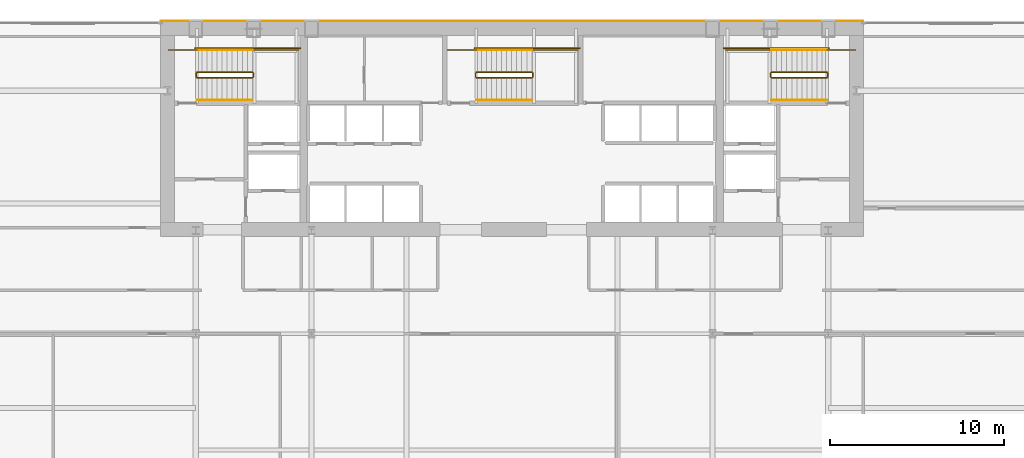
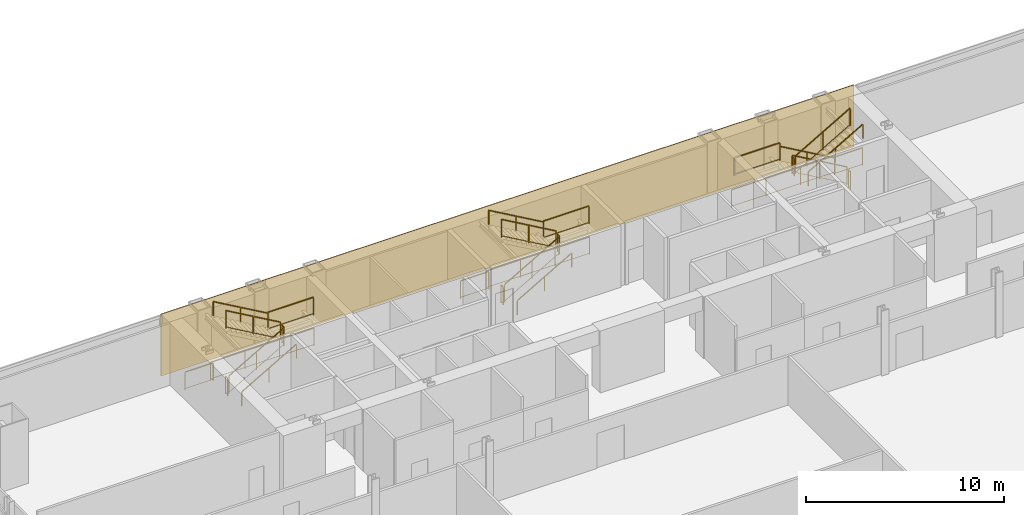
# One storey, part 33 of 33: 27 railings, 1 covering.
"""IFC4 building model written with IfcOpenShell, lengths in metres."""

from ifc_helpers import new_model, si_unit, direction, frame, origin, origin_2d, place, context, subcontext, project, spatial, polyline, rectangle, outline, extrude, material, layer, layer_set, type_object, element, save


model = new_model("IFC4")

# Units and contexts
model_context = context("Model", 3, precision=1e-05, world=origin(), true_north=direction((0.0, 1.0)))
body_context = subcontext(model_context, "Body", "Model", "MODEL_VIEW")
ifc_project = project(units=[si_unit("LENGTHUNIT", "METRE"), si_unit("AREAUNIT", "SQUARE_METRE"), si_unit("VOLUMEUNIT", "CUBIC_METRE"), si_unit("PLANEANGLEUNIT", "RADIAN"), si_unit("MASSUNIT", "GRAM", prefix="KILO")], contexts=[model_context])

# Site, building, storey
site_placement = place(None, origin())
site = spatial("IfcSite", under=ifc_project, at=site_placement, CompositionType="ELEMENT")
building_placement = place(site_placement, origin())
building = spatial("IfcBuilding", under=site, at=building_placement, Name="Khoronbel Lancet Exchange", CompositionType="ELEMENT")
storey_placement = place(building_placement, frame((0.0, 0.0, 33.800048828125)))
storey = spatial("IfcBuildingStorey", under=building, at=storey_placement, Name="L07", CompositionType="ELEMENT", Elevation=33.800048828125)

# Covering
ifc_material_1 = material(Name="Honed Egyptian Limestone & Bronze Rainscreen", Category="masonry")
ifc_layer = layer(ifc_material_1, 0.050048828125, Name="Honed Egyptian Limestone & Bronze Rainscreen")
ifc_layer_set = layer_set([ifc_layer], Name="Honed Egyptian Limestone & Bronze Rainscreen")
covering_type = type_object("IfcCoveringType", Name="COV-CLAD1", PredefinedType="CLADDING", material=ifc_layer_set)
covering_placement = place(storey_placement, origin())
element("IfcCovering", 1, at=covering_placement, inside=storey, type_object=covering_type, Name="Level L07 north rear-core stone and bronze rainscreen cladding", PredefinedType="CLADDING", context=body_context, shape_type="SweptSolid", body=[
    extrude(outline(polyline([(16.199951171875, 53.699951171875), (56.699951171875, 53.699951171875), (56.699951171875, 53.75), (16.199951171875, 53.75), (16.199951171875, 53.699951171875)])), origin(), (0.0, 0.0, 1.0), 3.820068359375),
])

# Railings
ifc_material_2 = material(Name="Painted Steel Balustrade", Category="steel")
railing_type_1 = type_object("IfcRailingType", Name="RL-STG110", PredefinedType="GUARDRAIL", material=ifc_material_2)
railing_1_placement = place(storey_placement, frame((18.300048828125, 50.449951171875, 0.16650390625)))
element("IfcRailing", 2, at=railing_1_placement, inside=storey, type_object=railing_type_1, Name="L07 ST1 stair guard 1", PredefinedType="GUARDRAIL", context=body_context, shape_type="SweptSolid", body=[
    extrude(rectangle(XDim=0.048095703125, YDim=0.048095703125, at=origin_2d()), frame((0.0, 0.0, 1.09619140625), z_axis=(0.86699087805, 0.0, 0.498324008431), x_axis=(0.0, 1.0, 0.0)), (0.0, 0.0, 1.0), 3.679443359375),
    extrude(rectangle(XDim=0.02392578125, YDim=0.02392578125, at=origin_2d()), frame((0.0, 0.0, 0.080078125), z_axis=(0.86699087805, 0.0, 0.498324008431), x_axis=(0.0, 1.0, 0.0)), (0.0, 0.0, 1.0), 3.679443359375),
    extrude(rectangle(XDim=0.0419921875, YDim=0.0419921875, at=origin_2d()), origin(), (0.0, 0.0, 1.0), 1.072021484375),
    extrude(rectangle(XDim=0.0419921875, YDim=0.0419921875, at=origin_2d()), frame((1.594970703125, 0.0, 0.916748046875)), (0.0, 0.0, 1.0), 1.072021484375),
    extrude(rectangle(XDim=0.0419921875, YDim=0.0419921875, at=origin_2d()), frame((3.18994140625, 0.0, 1.83349609375)), (0.0, 0.0, 1.0), 1.072021484375),
])
railing_2_placement = place(storey_placement, frame((21.5400390625, 50.5, 2.0)))
element("IfcRailing", 3, at=railing_2_placement, inside=storey, type_object=railing_type_1, Name="L07 ST1 stair guard 2", PredefinedType="GUARDRAIL", context=body_context, shape_type="SweptSolid", body=[
    extrude(rectangle(XDim=0.048095703125, YDim=0.048095703125, at=origin_2d()), frame((0.0, 0.0, 1.09619140625), z_axis=(0.0, 1.0, 0.0), x_axis=(-1.0, 0.0, 0.0)), (0.0, 0.0, 1.0), 0.219970703125),
    extrude(rectangle(XDim=0.02392578125, YDim=0.02392578125, at=origin_2d()), frame((0.0, 0.0, 0.080078125), z_axis=(0.0, 1.0, 0.0), x_axis=(-1.0, 0.0, 0.0)), (0.0, 0.0, 1.0), 0.219970703125),
    extrude(rectangle(XDim=0.0419921875, YDim=0.0419921875, at=origin_2d()), origin(), (0.0, 0.0, 1.0), 1.072021484375),
    extrude(rectangle(XDim=0.0419921875, YDim=0.0419921875, at=origin_2d()), frame((0.0, 0.219970703125, 0.0)), (0.0, 0.0, 1.0), 1.072021484375),
])
railing_3_placement = place(storey_placement, frame((21.489990234375, 52.050048828125, 2.0)))
element("IfcRailing", 4, at=railing_3_placement, inside=storey, type_object=railing_type_1, Name="L07 ST1 stair guard 3", PredefinedType="GUARDRAIL", context=body_context, shape_type="SweptSolid", body=[
    extrude(rectangle(XDim=0.048095703125, YDim=0.048095703125, at=origin_2d()), frame((0.0, 0.0, 1.09619140625), z_axis=(1.0, 0.0, 0.0), x_axis=(0.0, 1.0, 0.0)), (0.0, 0.0, 1.0), 2.659912109375),
    extrude(rectangle(XDim=0.02392578125, YDim=0.02392578125, at=origin_2d()), frame((0.0, 0.0, 0.080078125), z_axis=(1.0, 0.0, 0.0), x_axis=(0.0, 1.0, 0.0)), (0.0, 0.0, 1.0), 2.659912109375),
    extrude(rectangle(XDim=0.0419921875, YDim=0.0419921875, at=origin_2d()), origin(), (0.0, 0.0, 1.0), 1.072021484375),
    extrude(rectangle(XDim=0.0419921875, YDim=0.0419921875, at=origin_2d()), frame((2.659912109375, 0.0, 0.0)), (0.0, 0.0, 1.0), 1.072021484375),
])
railing_4_placement = place(storey_placement, frame((21.489990234375, 50.77001953125, 2.16650390625)))
element("IfcRailing", 5, at=railing_4_placement, inside=storey, type_object=railing_type_1, Name="L07 ST1 stair guard 4", PredefinedType="GUARDRAIL", context=body_context, shape_type="SweptSolid", body=[
    extrude(rectangle(XDim=0.048095703125, YDim=0.048095703125, at=origin_2d()), frame((0.0, 0.0, 1.09619140625), z_axis=(-0.86699087805, 0.0, 0.498324008431), x_axis=(0.0, -1.0, 0.0)), (0.0, 0.0, 1.0), 3.679443359375),
    extrude(rectangle(XDim=0.02392578125, YDim=0.02392578125, at=origin_2d()), frame((0.0, 0.0, 0.080078125), z_axis=(-0.86699087805, 0.0, 0.498324008431), x_axis=(0.0, -1.0, 0.0)), (0.0, 0.0, 1.0), 3.679443359375),
    extrude(rectangle(XDim=0.0419921875, YDim=0.0419921875, at=origin_2d()), origin(), (0.0, 0.0, 1.0), 1.072021484375),
    extrude(rectangle(XDim=0.0419921875, YDim=0.0419921875, at=origin_2d()), frame((-1.594970703125, 0.0, 0.916748046875)), (0.0, 0.0, 1.0), 1.072021484375),
    extrude(rectangle(XDim=0.0419921875, YDim=0.0419921875, at=origin_2d()), frame((-3.18994140625, 0.0, 1.83349609375)), (0.0, 0.0, 1.0), 1.072021484375),
])
railing_5_placement = place(storey_placement, frame((18.25, 50.5, 0.0)))
element("IfcRailing", 6, at=railing_5_placement, inside=storey, type_object=railing_type_1, Name="L07 ST1 stair guard 5", PredefinedType="GUARDRAIL", context=body_context, shape_type="SweptSolid", body=[
    extrude(rectangle(XDim=0.048095703125, YDim=0.048095703125, at=origin_2d()), frame((0.0, 0.0, 1.09619140625), z_axis=(0.0, 1.0, 0.0), x_axis=(-1.0, 0.0, 0.0)), (0.0, 0.0, 1.0), 0.219970703125),
    extrude(rectangle(XDim=0.02392578125, YDim=0.02392578125, at=origin_2d()), frame((0.0, 0.0, 0.080078125), z_axis=(0.0, 1.0, 0.0), x_axis=(-1.0, 0.0, 0.0)), (0.0, 0.0, 1.0), 0.219970703125),
    extrude(rectangle(XDim=0.0419921875, YDim=0.0419921875, at=origin_2d()), origin(), (0.0, 0.0, 1.0), 1.072021484375),
    extrude(rectangle(XDim=0.0419921875, YDim=0.0419921875, at=origin_2d()), frame((0.0, 0.219970703125, 0.0)), (0.0, 0.0, 1.0), 1.072021484375),
])
railing_6_placement = place(storey_placement, frame((16.64990234375, 52.050048828125, 0.0)))
element("IfcRailing", 7, at=railing_6_placement, inside=storey, type_object=railing_type_1, Name="L07 ST1 stair guard 6", PredefinedType="GUARDRAIL", context=body_context, shape_type="SweptSolid", body=[
    extrude(rectangle(XDim=0.048095703125, YDim=0.048095703125, at=origin_2d()), frame((0.0, 0.0, 1.09619140625), z_axis=(1.0, 0.0, 0.0), x_axis=(0.0, 1.0, 0.0)), (0.0, 0.0, 1.0), 1.650146484375),
    extrude(rectangle(XDim=0.02392578125, YDim=0.02392578125, at=origin_2d()), frame((0.0, 0.0, 0.080078125), z_axis=(1.0, 0.0, 0.0), x_axis=(0.0, 1.0, 0.0)), (0.0, 0.0, 1.0), 1.650146484375),
    extrude(rectangle(XDim=0.0419921875, YDim=0.0419921875, at=origin_2d()), origin(), (0.0, 0.0, 1.0), 1.072021484375),
    extrude(rectangle(XDim=0.0419921875, YDim=0.0419921875, at=origin_2d()), frame((1.650146484375, 0.0, 0.0)), (0.0, 0.0, 1.0), 1.072021484375),
])
railing_7_placement = place(storey_placement, frame((18.199951171875, 52.14990234375, 0.0)))
element("IfcRailing", 8, at=railing_7_placement, inside=storey, type_object=railing_type_1, Name="L07 ST1 stair guard 7", PredefinedType="GUARDRAIL", context=body_context, shape_type="SweptSolid", body=[
    extrude(rectangle(XDim=0.048095703125, YDim=0.048095703125, at=origin_2d()), frame((0.0, 0.0, 1.09619140625), z_axis=(1.0, 0.0, 0.0), x_axis=(0.0, 1.0, 0.0)), (0.0, 0.0, 1.0), 6.050048828125),
    extrude(rectangle(XDim=0.02392578125, YDim=0.02392578125, at=origin_2d()), frame((0.0, 0.0, 0.080078125), z_axis=(1.0, 0.0, 0.0), x_axis=(0.0, 1.0, 0.0)), (0.0, 0.0, 1.0), 6.050048828125),
    extrude(rectangle(XDim=0.0419921875, YDim=0.0419921875, at=origin_2d()), origin(), (0.0, 0.0, 1.0), 1.072021484375),
    extrude(rectangle(XDim=0.0419921875, YDim=0.0419921875, at=origin_2d()), frame((2.0166015625, 0.0, 0.0)), (0.0, 0.0, 1.0), 1.072021484375),
    extrude(rectangle(XDim=0.0419921875, YDim=0.0419921875, at=origin_2d()), frame((4.033447265625, 0.0, 0.0)), (0.0, 0.0, 1.0), 1.072021484375),
    extrude(rectangle(XDim=0.0419921875, YDim=0.0419921875, at=origin_2d()), frame((6.050048828125, 0.0, 0.0)), (0.0, 0.0, 1.0), 1.072021484375),
])
railing_8_placement = place(storey_placement, frame((54.60009765625, 50.77001953125, 0.16650390625)))
element("IfcRailing", 9, at=railing_8_placement, inside=storey, type_object=railing_type_1, Name="L07 ST2 stair guard 1", PredefinedType="GUARDRAIL", context=body_context, shape_type="SweptSolid", body=[
    extrude(rectangle(XDim=0.048095703125, YDim=0.048095703125, at=origin_2d()), frame((0.0, 0.0, 1.09619140625), z_axis=(-0.867007354286, 0.0, 0.498295341753), x_axis=(0.0, -1.0, 0.0)), (0.0, 0.0, 1.0), 3.679443359375),
    extrude(rectangle(XDim=0.02392578125, YDim=0.02392578125, at=origin_2d()), frame((0.0, 0.0, 0.080078125), z_axis=(-0.867007354286, 0.0, 0.498295341753), x_axis=(0.0, -1.0, 0.0)), (0.0, 0.0, 1.0), 3.679443359375),
    extrude(rectangle(XDim=0.0419921875, YDim=0.0419921875, at=origin_2d()), origin(), (0.0, 0.0, 1.0), 1.072021484375),
    extrude(rectangle(XDim=0.0419921875, YDim=0.0419921875, at=origin_2d()), frame((-1.59521484375, 0.0, 0.916748046875)), (0.0, 0.0, 1.0), 1.072021484375),
    extrude(rectangle(XDim=0.0419921875, YDim=0.0419921875, at=origin_2d()), frame((-3.190185546875, 0.0, 1.83349609375)), (0.0, 0.0, 1.0), 1.072021484375),
])
railing_9_placement = place(storey_placement, frame((51.360107421875, 50.719970703125, 2.0)))
element("IfcRailing", 10, at=railing_9_placement, inside=storey, type_object=railing_type_1, Name="L07 ST2 stair guard 2", PredefinedType="GUARDRAIL", context=body_context, shape_type="SweptSolid", body=[
    extrude(rectangle(XDim=0.048095703125, YDim=0.048095703125, at=origin_2d()), frame((0.0, 0.0, 1.09619140625), z_axis=(0.0, -1.0, 0.0), x_axis=(1.0, 0.0, 0.0)), (0.0, 0.0, 1.0), 0.219970703125),
    extrude(rectangle(XDim=0.02392578125, YDim=0.02392578125, at=origin_2d()), frame((0.0, 0.0, 0.080078125), z_axis=(0.0, -1.0, 0.0), x_axis=(1.0, 0.0, 0.0)), (0.0, 0.0, 1.0), 0.219970703125),
    extrude(rectangle(XDim=0.0419921875, YDim=0.0419921875, at=origin_2d()), origin(), (0.0, 0.0, 1.0), 1.072021484375),
    extrude(rectangle(XDim=0.0419921875, YDim=0.0419921875, at=origin_2d()), frame((0.0, -0.219970703125, 0.0)), (0.0, 0.0, 1.0), 1.072021484375),
])
railing_10_placement = place(storey_placement, frame((51.409912109375, 52.050048828125, 2.0)))
element("IfcRailing", 11, at=railing_10_placement, inside=storey, type_object=railing_type_1, Name="L07 ST2 stair guard 3", PredefinedType="GUARDRAIL", context=body_context, shape_type="SweptSolid", body=[
    extrude(rectangle(XDim=0.048095703125, YDim=0.048095703125, at=origin_2d()), frame((0.0, 0.0, 1.09619140625), z_axis=(-1.0, 0.0, 0.0), x_axis=(0.0, -1.0, 0.0)), (0.0, 0.0, 1.0), 2.659912109375),
    extrude(rectangle(XDim=0.02392578125, YDim=0.02392578125, at=origin_2d()), frame((0.0, 0.0, 0.080078125), z_axis=(-1.0, 0.0, 0.0), x_axis=(0.0, -1.0, 0.0)), (0.0, 0.0, 1.0), 2.659912109375),
    extrude(rectangle(XDim=0.0419921875, YDim=0.0419921875, at=origin_2d()), origin(), (0.0, 0.0, 1.0), 1.072021484375),
    extrude(rectangle(XDim=0.0419921875, YDim=0.0419921875, at=origin_2d()), frame((-2.659912109375, 0.0, 0.0)), (0.0, 0.0, 1.0), 1.072021484375),
])
railing_11_placement = place(storey_placement, frame((51.409912109375, 50.449951171875, 2.16650390625)))
element("IfcRailing", 12, at=railing_11_placement, inside=storey, type_object=railing_type_1, Name="L07 ST2 stair guard 4", PredefinedType="GUARDRAIL", context=body_context, shape_type="SweptSolid", body=[
    extrude(rectangle(XDim=0.048095703125, YDim=0.048095703125, at=origin_2d()), frame((0.0, 0.0, 1.09619140625), z_axis=(0.867007354286, 0.0, 0.498295341753), x_axis=(0.0, 1.0, 0.0)), (0.0, 0.0, 1.0), 3.679443359375),
    extrude(rectangle(XDim=0.02392578125, YDim=0.02392578125, at=origin_2d()), frame((0.0, 0.0, 0.080078125), z_axis=(0.867007354286, 0.0, 0.498295341753), x_axis=(0.0, 1.0, 0.0)), (0.0, 0.0, 1.0), 3.679443359375),
    extrude(rectangle(XDim=0.0419921875, YDim=0.0419921875, at=origin_2d()), origin(), (0.0, 0.0, 1.0), 1.072021484375),
    extrude(rectangle(XDim=0.0419921875, YDim=0.0419921875, at=origin_2d()), frame((1.59521484375, 0.0, 0.916748046875)), (0.0, 0.0, 1.0), 1.072021484375),
    extrude(rectangle(XDim=0.0419921875, YDim=0.0419921875, at=origin_2d()), frame((3.190185546875, 0.0, 1.83349609375)), (0.0, 0.0, 1.0), 1.072021484375),
])
railing_12_placement = place(storey_placement, frame((54.64990234375, 50.719970703125, 0.0)))
element("IfcRailing", 13, at=railing_12_placement, inside=storey, type_object=railing_type_1, Name="L07 ST2 stair guard 5", PredefinedType="GUARDRAIL", context=body_context, shape_type="SweptSolid", body=[
    extrude(rectangle(XDim=0.048095703125, YDim=0.048095703125, at=origin_2d()), frame((0.0, 0.0, 1.09619140625), z_axis=(0.0, -1.0, 0.0), x_axis=(1.0, 0.0, 0.0)), (0.0, 0.0, 1.0), 0.219970703125),
    extrude(rectangle(XDim=0.02392578125, YDim=0.02392578125, at=origin_2d()), frame((0.0, 0.0, 0.080078125), z_axis=(0.0, -1.0, 0.0), x_axis=(1.0, 0.0, 0.0)), (0.0, 0.0, 1.0), 0.219970703125),
    extrude(rectangle(XDim=0.0419921875, YDim=0.0419921875, at=origin_2d()), origin(), (0.0, 0.0, 1.0), 1.072021484375),
    extrude(rectangle(XDim=0.0419921875, YDim=0.0419921875, at=origin_2d()), frame((0.0, -0.219970703125, 0.0)), (0.0, 0.0, 1.0), 1.072021484375),
])
railing_13_placement = place(storey_placement, frame((56.25, 52.050048828125, 0.0)))
element("IfcRailing", 14, at=railing_13_placement, inside=storey, type_object=railing_type_1, Name="L07 ST2 stair guard 6", PredefinedType="GUARDRAIL", context=body_context, shape_type="SweptSolid", body=[
    extrude(rectangle(XDim=0.048095703125, YDim=0.048095703125, at=origin_2d()), frame((0.0, 0.0, 1.09619140625), z_axis=(-1.0, 0.0, 0.0), x_axis=(0.0, -1.0, 0.0)), (0.0, 0.0, 1.0), 1.64990234375),
    extrude(rectangle(XDim=0.02392578125, YDim=0.02392578125, at=origin_2d()), frame((0.0, 0.0, 0.080078125), z_axis=(-1.0, 0.0, 0.0), x_axis=(0.0, -1.0, 0.0)), (0.0, 0.0, 1.0), 1.64990234375),
    extrude(rectangle(XDim=0.0419921875, YDim=0.0419921875, at=origin_2d()), origin(), (0.0, 0.0, 1.0), 1.072021484375),
    extrude(rectangle(XDim=0.0419921875, YDim=0.0419921875, at=origin_2d()), frame((-1.64990234375, 0.0, 0.0)), (0.0, 0.0, 1.0), 1.072021484375),
])
railing_14_placement = place(storey_placement, frame((54.699951171875, 52.14990234375, 0.0)))
element("IfcRailing", 15, at=railing_14_placement, inside=storey, type_object=railing_type_1, Name="L07 ST2 stair guard 7", PredefinedType="GUARDRAIL", context=body_context, shape_type="SweptSolid", body=[
    extrude(rectangle(XDim=0.048095703125, YDim=0.048095703125, at=origin_2d()), frame((0.0, 0.0, 1.09619140625), z_axis=(-1.0, 0.0, 0.0), x_axis=(0.0, -1.0, 0.0)), (0.0, 0.0, 1.0), 6.050048828125),
    extrude(rectangle(XDim=0.02392578125, YDim=0.02392578125, at=origin_2d()), frame((0.0, 0.0, 0.080078125), z_axis=(-1.0, 0.0, 0.0), x_axis=(0.0, -1.0, 0.0)), (0.0, 0.0, 1.0), 6.050048828125),
    extrude(rectangle(XDim=0.0419921875, YDim=0.0419921875, at=origin_2d()), origin(), (0.0, 0.0, 1.0), 1.072021484375),
    extrude(rectangle(XDim=0.0419921875, YDim=0.0419921875, at=origin_2d()), frame((-2.0166015625, 0.0, 0.0)), (0.0, 0.0, 1.0), 1.072021484375),
    extrude(rectangle(XDim=0.0419921875, YDim=0.0419921875, at=origin_2d()), frame((-4.033447265625, 0.0, 0.0)), (0.0, 0.0, 1.0), 1.072021484375),
    extrude(rectangle(XDim=0.0419921875, YDim=0.0419921875, at=origin_2d()), frame((-6.050048828125, 0.0, 0.0)), (0.0, 0.0, 1.0), 1.072021484375),
])
railing_15_placement = place(storey_placement, frame((34.39990234375, 50.449951171875, 0.16650390625)))
element("IfcRailing", 16, at=railing_15_placement, inside=storey, type_object=railing_type_1, Name="L07 ST3 stair guard 1", PredefinedType="GUARDRAIL", context=body_context, shape_type="SweptSolid", body=[
    extrude(rectangle(XDim=0.048095703125, YDim=0.048095703125, at=origin_2d()), frame((0.0, 0.0, 1.09619140625), z_axis=(0.867007354286, 0.0, 0.498295341753), x_axis=(0.0, 1.0, 0.0)), (0.0, 0.0, 1.0), 3.679443359375),
    extrude(rectangle(XDim=0.02392578125, YDim=0.02392578125, at=origin_2d()), frame((0.0, 0.0, 0.080078125), z_axis=(0.867007354286, 0.0, 0.498295341753), x_axis=(0.0, 1.0, 0.0)), (0.0, 0.0, 1.0), 3.679443359375),
    extrude(rectangle(XDim=0.0419921875, YDim=0.0419921875, at=origin_2d()), origin(), (0.0, 0.0, 1.0), 1.072021484375),
    extrude(rectangle(XDim=0.0419921875, YDim=0.0419921875, at=origin_2d()), frame((1.59521484375, 0.0, 0.916748046875)), (0.0, 0.0, 1.0), 1.072021484375),
    extrude(rectangle(XDim=0.0419921875, YDim=0.0419921875, at=origin_2d()), frame((3.190185546875, 0.0, 1.83349609375)), (0.0, 0.0, 1.0), 1.072021484375),
])
railing_16_placement = place(storey_placement, frame((37.639892578125, 50.5, 2.0)))
element("IfcRailing", 17, at=railing_16_placement, inside=storey, type_object=railing_type_1, Name="L07 ST3 stair guard 2", PredefinedType="GUARDRAIL", context=body_context, shape_type="SweptSolid", body=[
    extrude(rectangle(XDim=0.048095703125, YDim=0.048095703125, at=origin_2d()), frame((0.0, 0.0, 1.09619140625), z_axis=(0.0, 1.0, 0.0), x_axis=(-1.0, 0.0, 0.0)), (0.0, 0.0, 1.0), 0.219970703125),
    extrude(rectangle(XDim=0.02392578125, YDim=0.02392578125, at=origin_2d()), frame((0.0, 0.0, 0.080078125), z_axis=(0.0, 1.0, 0.0), x_axis=(-1.0, 0.0, 0.0)), (0.0, 0.0, 1.0), 0.219970703125),
    extrude(rectangle(XDim=0.0419921875, YDim=0.0419921875, at=origin_2d()), origin(), (0.0, 0.0, 1.0), 1.072021484375),
    extrude(rectangle(XDim=0.0419921875, YDim=0.0419921875, at=origin_2d()), frame((0.0, 0.219970703125, 0.0)), (0.0, 0.0, 1.0), 1.072021484375),
])
railing_17_placement = place(storey_placement, frame((37.590087890625, 52.050048828125, 2.0)))
element("IfcRailing", 18, at=railing_17_placement, inside=storey, type_object=railing_type_1, Name="L07 ST3 stair guard 3", PredefinedType="GUARDRAIL", context=body_context, shape_type="SweptSolid", body=[
    extrude(rectangle(XDim=0.048095703125, YDim=0.048095703125, at=origin_2d()), frame((0.0, 0.0, 1.09619140625), z_axis=(1.0, 0.0, 0.0), x_axis=(0.0, 1.0, 0.0)), (0.0, 0.0, 1.0), 2.659912109375),
    extrude(rectangle(XDim=0.02392578125, YDim=0.02392578125, at=origin_2d()), frame((0.0, 0.0, 0.080078125), z_axis=(1.0, 0.0, 0.0), x_axis=(0.0, 1.0, 0.0)), (0.0, 0.0, 1.0), 2.659912109375),
    extrude(rectangle(XDim=0.0419921875, YDim=0.0419921875, at=origin_2d()), origin(), (0.0, 0.0, 1.0), 1.072021484375),
    extrude(rectangle(XDim=0.0419921875, YDim=0.0419921875, at=origin_2d()), frame((2.659912109375, 0.0, 0.0)), (0.0, 0.0, 1.0), 1.072021484375),
])
railing_18_placement = place(storey_placement, frame((37.590087890625, 50.77001953125, 2.16650390625)))
element("IfcRailing", 19, at=railing_18_placement, inside=storey, type_object=railing_type_1, Name="L07 ST3 stair guard 4", PredefinedType="GUARDRAIL", context=body_context, shape_type="SweptSolid", body=[
    extrude(rectangle(XDim=0.048095703125, YDim=0.048095703125, at=origin_2d()), frame((0.0, 0.0, 1.09619140625), z_axis=(-0.867007354286, 0.0, 0.498295341753), x_axis=(0.0, -1.0, 0.0)), (0.0, 0.0, 1.0), 3.679443359375),
    extrude(rectangle(XDim=0.02392578125, YDim=0.02392578125, at=origin_2d()), frame((0.0, 0.0, 0.080078125), z_axis=(-0.867007354286, 0.0, 0.498295341753), x_axis=(0.0, -1.0, 0.0)), (0.0, 0.0, 1.0), 3.679443359375),
    extrude(rectangle(XDim=0.0419921875, YDim=0.0419921875, at=origin_2d()), origin(), (0.0, 0.0, 1.0), 1.072021484375),
    extrude(rectangle(XDim=0.0419921875, YDim=0.0419921875, at=origin_2d()), frame((-1.59521484375, 0.0, 0.916748046875)), (0.0, 0.0, 1.0), 1.072021484375),
    extrude(rectangle(XDim=0.0419921875, YDim=0.0419921875, at=origin_2d()), frame((-3.190185546875, 0.0, 1.83349609375)), (0.0, 0.0, 1.0), 1.072021484375),
])
railing_19_placement = place(storey_placement, frame((34.35009765625, 50.5, 0.0)))
element("IfcRailing", 20, at=railing_19_placement, inside=storey, type_object=railing_type_1, Name="L07 ST3 stair guard 5", PredefinedType="GUARDRAIL", context=body_context, shape_type="SweptSolid", body=[
    extrude(rectangle(XDim=0.048095703125, YDim=0.048095703125, at=origin_2d()), frame((0.0, 0.0, 1.09619140625), z_axis=(0.0, 1.0, 0.0), x_axis=(-1.0, 0.0, 0.0)), (0.0, 0.0, 1.0), 0.219970703125),
    extrude(rectangle(XDim=0.02392578125, YDim=0.02392578125, at=origin_2d()), frame((0.0, 0.0, 0.080078125), z_axis=(0.0, 1.0, 0.0), x_axis=(-1.0, 0.0, 0.0)), (0.0, 0.0, 1.0), 0.219970703125),
    extrude(rectangle(XDim=0.0419921875, YDim=0.0419921875, at=origin_2d()), origin(), (0.0, 0.0, 1.0), 1.072021484375),
    extrude(rectangle(XDim=0.0419921875, YDim=0.0419921875, at=origin_2d()), frame((0.0, 0.219970703125, 0.0)), (0.0, 0.0, 1.0), 1.072021484375),
])
railing_20_placement = place(storey_placement, frame((32.75, 52.050048828125, 0.0)))
element("IfcRailing", 21, at=railing_20_placement, inside=storey, type_object=railing_type_1, Name="L07 ST3 stair guard 6", PredefinedType="GUARDRAIL", context=body_context, shape_type="SweptSolid", body=[
    extrude(rectangle(XDim=0.048095703125, YDim=0.048095703125, at=origin_2d()), frame((0.0, 0.0, 1.09619140625), z_axis=(1.0, 0.0, 0.0), x_axis=(0.0, 1.0, 0.0)), (0.0, 0.0, 1.0), 1.64990234375),
    extrude(rectangle(XDim=0.02392578125, YDim=0.02392578125, at=origin_2d()), frame((0.0, 0.0, 0.080078125), z_axis=(1.0, 0.0, 0.0), x_axis=(0.0, 1.0, 0.0)), (0.0, 0.0, 1.0), 1.64990234375),
    extrude(rectangle(XDim=0.0419921875, YDim=0.0419921875, at=origin_2d()), origin(), (0.0, 0.0, 1.0), 1.072021484375),
    extrude(rectangle(XDim=0.0419921875, YDim=0.0419921875, at=origin_2d()), frame((1.64990234375, 0.0, 0.0)), (0.0, 0.0, 1.0), 1.072021484375),
])
railing_21_placement = place(storey_placement, frame((34.300048828125, 52.14990234375, 0.0)))
element("IfcRailing", 22, at=railing_21_placement, inside=storey, type_object=railing_type_1, Name="L07 ST3 stair guard 7", PredefinedType="GUARDRAIL", context=body_context, shape_type="SweptSolid", body=[
    extrude(rectangle(XDim=0.048095703125, YDim=0.048095703125, at=origin_2d()), frame((0.0, 0.0, 1.09619140625), z_axis=(1.0, 0.0, 0.0), x_axis=(0.0, 1.0, 0.0)), (0.0, 0.0, 1.0), 6.050048828125),
    extrude(rectangle(XDim=0.02392578125, YDim=0.02392578125, at=origin_2d()), frame((0.0, 0.0, 0.080078125), z_axis=(1.0, 0.0, 0.0), x_axis=(0.0, 1.0, 0.0)), (0.0, 0.0, 1.0), 6.050048828125),
    extrude(rectangle(XDim=0.0419921875, YDim=0.0419921875, at=origin_2d()), origin(), (0.0, 0.0, 1.0), 1.072021484375),
    extrude(rectangle(XDim=0.0419921875, YDim=0.0419921875, at=origin_2d()), frame((2.0166015625, 0.0, 0.0)), (0.0, 0.0, 1.0), 1.072021484375),
    extrude(rectangle(XDim=0.0419921875, YDim=0.0419921875, at=origin_2d()), frame((4.033447265625, 0.0, 0.0)), (0.0, 0.0, 1.0), 1.072021484375),
    extrude(rectangle(XDim=0.0419921875, YDim=0.0419921875, at=origin_2d()), frame((6.050048828125, 0.0, 0.0)), (0.0, 0.0, 1.0), 1.072021484375),
])
ifc_material_3 = material(Name="Brushed Stainless Steel 316", Category="steel")
railing_type_2 = type_object("IfcRailingType", Name="RL-STH92", PredefinedType="HANDRAIL", material=ifc_material_3)
railing_22_placement = place(storey_placement, frame((18.300048828125, 49.169921875, 0.16650390625)))
element("IfcRailing", 23, at=railing_22_placement, inside=storey, type_object=railing_type_2, Name="L07 ST1 stair handrail 1", PredefinedType="HANDRAIL", context=body_context, shape_type="SweptSolid", body=[
    extrude(rectangle(XDim=0.048095703125, YDim=0.048095703125, at=origin_2d()), frame((0.0, 0.0, 0.8759765625), z_axis=(0.86699087805, 0.0, 0.498324008431), x_axis=(0.0, 1.0, 0.0)), (0.0, 0.0, 1.0), 3.679443359375),
    extrude(rectangle(XDim=0.0419921875, YDim=0.0419921875, at=origin_2d()), origin(), (0.0, 0.0, 1.0), 0.851806640625),
    extrude(rectangle(XDim=0.0419921875, YDim=0.0419921875, at=origin_2d()), frame((1.594970703125, 0.0, 0.916748046875)), (0.0, 0.0, 1.0), 0.851806640625),
    extrude(rectangle(XDim=0.0419921875, YDim=0.0419921875, at=origin_2d()), frame((3.18994140625, 0.0, 1.83349609375)), (0.0, 0.0, 1.0), 0.851806640625),
])
railing_23_placement = place(storey_placement, frame((21.489990234375, 52.050048828125, 2.16650390625)))
element("IfcRailing", 24, at=railing_23_placement, inside=storey, type_object=railing_type_2, Name="L07 ST1 stair handrail 2", PredefinedType="HANDRAIL", context=body_context, shape_type="SweptSolid", body=[
    extrude(rectangle(XDim=0.048095703125, YDim=0.048095703125, at=origin_2d()), frame((0.0, 0.0, 0.8759765625), z_axis=(-0.86699087805, 0.0, 0.498324008431), x_axis=(0.0, -1.0, 0.0)), (0.0, 0.0, 1.0), 3.679443359375),
    extrude(rectangle(XDim=0.0419921875, YDim=0.0419921875, at=origin_2d()), origin(), (0.0, 0.0, 1.0), 0.851806640625),
    extrude(rectangle(XDim=0.0419921875, YDim=0.0419921875, at=origin_2d()), frame((-1.594970703125, 0.0, 0.916748046875)), (0.0, 0.0, 1.0), 0.851806640625),
    extrude(rectangle(XDim=0.0419921875, YDim=0.0419921875, at=origin_2d()), frame((-3.18994140625, 0.0, 1.83349609375)), (0.0, 0.0, 1.0), 0.851806640625),
])
railing_24_placement = place(storey_placement, frame((54.60009765625, 52.050048828125, 0.16650390625)))
element("IfcRailing", 25, at=railing_24_placement, inside=storey, type_object=railing_type_2, Name="L07 ST2 stair handrail 1", PredefinedType="HANDRAIL", context=body_context, shape_type="SweptSolid", body=[
    extrude(rectangle(XDim=0.048095703125, YDim=0.048095703125, at=origin_2d()), frame((0.0, 0.0, 0.8759765625), z_axis=(-0.867007354286, 0.0, 0.498295341753), x_axis=(0.0, -1.0, 0.0)), (0.0, 0.0, 1.0), 3.679443359375),
    extrude(rectangle(XDim=0.0419921875, YDim=0.0419921875, at=origin_2d()), origin(), (0.0, 0.0, 1.0), 0.851806640625),
    extrude(rectangle(XDim=0.0419921875, YDim=0.0419921875, at=origin_2d()), frame((-1.59521484375, 0.0, 0.916748046875)), (0.0, 0.0, 1.0), 0.851806640625),
    extrude(rectangle(XDim=0.0419921875, YDim=0.0419921875, at=origin_2d()), frame((-3.190185546875, 0.0, 1.83349609375)), (0.0, 0.0, 1.0), 0.851806640625),
])
for number, where, name in (
    (26, (51.409912109375, 49.169921875, 2.16650390625), "L07 ST2 stair handrail 2"),
    (27, (34.39990234375, 49.169921875, 0.16650390625), "L07 ST3 stair handrail 1"),
):
    element("IfcRailing", number, at=place(storey_placement, frame(where)), inside=storey, type_object=railing_type_2, Name=name, PredefinedType="HANDRAIL", context=body_context, shape_type="SweptSolid", body=[
        extrude(rectangle(XDim=0.048095703125, YDim=0.048095703125, at=origin_2d()), frame((0.0, 0.0, 0.8759765625), z_axis=(0.867007354286, 0.0, 0.498295341753), x_axis=(0.0, 1.0, 0.0)), (0.0, 0.0, 1.0), 3.679443359375),
        extrude(rectangle(XDim=0.0419921875, YDim=0.0419921875, at=origin_2d()), origin(), (0.0, 0.0, 1.0), 0.851806640625),
        extrude(rectangle(XDim=0.0419921875, YDim=0.0419921875, at=origin_2d()), frame((1.59521484375, 0.0, 0.916748046875)), (0.0, 0.0, 1.0), 0.851806640625),
        extrude(rectangle(XDim=0.0419921875, YDim=0.0419921875, at=origin_2d()), frame((3.190185546875, 0.0, 1.83349609375)), (0.0, 0.0, 1.0), 0.851806640625),
    ])
railing_25_placement = place(storey_placement, frame((37.590087890625, 52.050048828125, 2.16650390625)))
element("IfcRailing", 28, at=railing_25_placement, inside=storey, type_object=railing_type_2, Name="L07 ST3 stair handrail 2", PredefinedType="HANDRAIL", context=body_context, shape_type="SweptSolid", body=[
    extrude(rectangle(XDim=0.048095703125, YDim=0.048095703125, at=origin_2d()), frame((0.0, 0.0, 0.8759765625), z_axis=(-0.867007354286, 0.0, 0.498295341753), x_axis=(0.0, -1.0, 0.0)), (0.0, 0.0, 1.0), 3.679443359375),
    extrude(rectangle(XDim=0.0419921875, YDim=0.0419921875, at=origin_2d()), origin(), (0.0, 0.0, 1.0), 0.851806640625),
    extrude(rectangle(XDim=0.0419921875, YDim=0.0419921875, at=origin_2d()), frame((-1.59521484375, 0.0, 0.916748046875)), (0.0, 0.0, 1.0), 0.851806640625),
    extrude(rectangle(XDim=0.0419921875, YDim=0.0419921875, at=origin_2d()), frame((-3.190185546875, 0.0, 1.83349609375)), (0.0, 0.0, 1.0), 0.851806640625),
])

save(model, "model.ifc")
